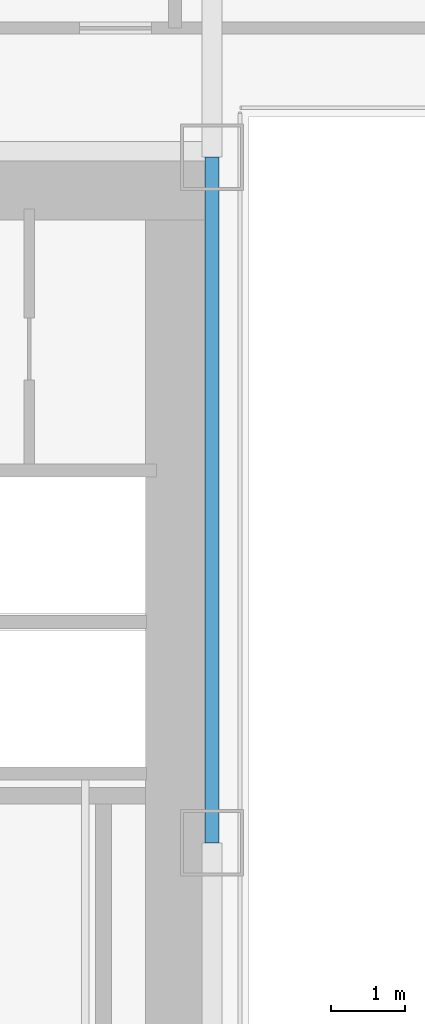
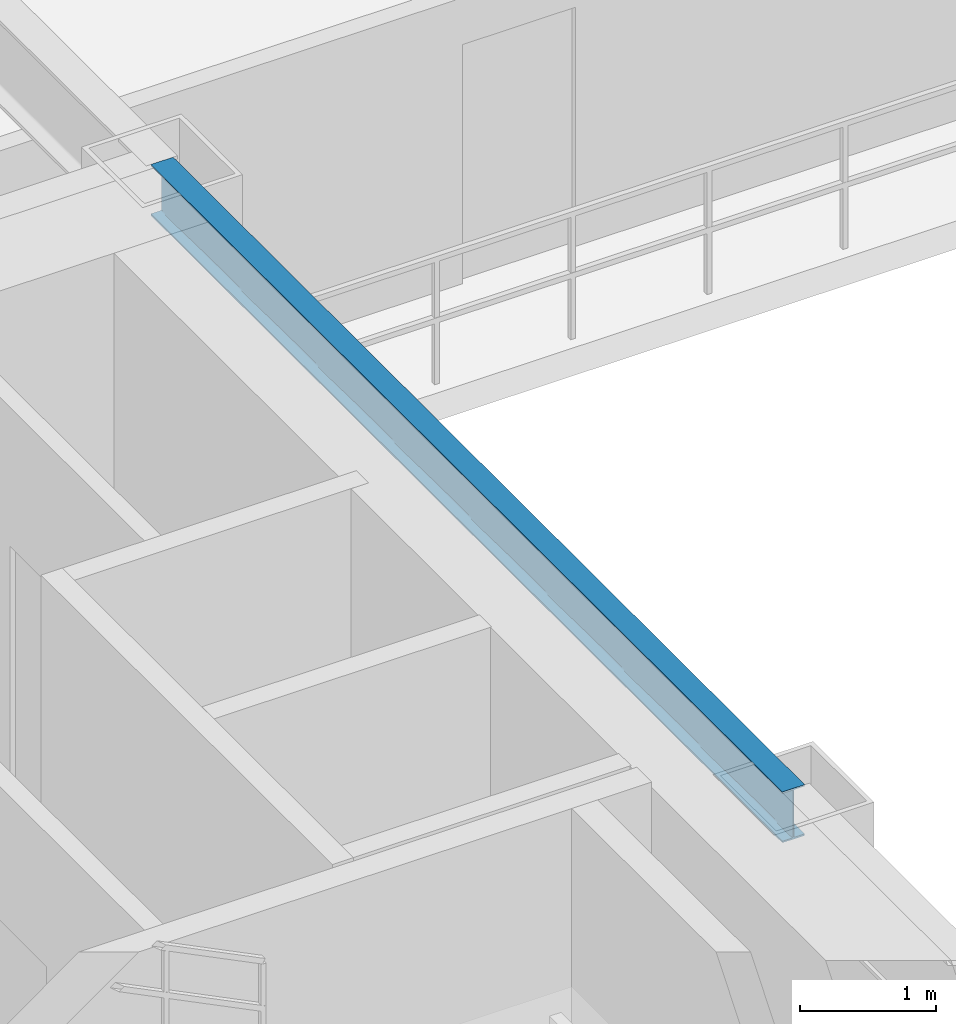
# One storey, part 9 of 35: 1 beam.
"""IFC4 building model written with IfcOpenShell, lengths in metres."""

from ifc_helpers import new_model, si_unit, direction, frame, origin, origin_2d, place, context, subcontext, project, spatial, i_section, extrude, source, transform, mapped, material, material_profile, profile_set, type_object, element, save


model = new_model("IFC4")

# Units and contexts
model_context = context("Model", 3, precision=1e-05, world=origin(), true_north=direction((0.0, 1.0)))
body_context = subcontext(model_context, "Body", "Model", "MODEL_VIEW")
ifc_project = project(units=[si_unit("LENGTHUNIT", "METRE"), si_unit("AREAUNIT", "SQUARE_METRE"), si_unit("VOLUMEUNIT", "CUBIC_METRE"), si_unit("PLANEANGLEUNIT", "RADIAN"), si_unit("MASSUNIT", "GRAM", prefix="KILO")], contexts=[model_context])

# Site, building, storey
site_placement = place(None, origin())
site = spatial("IfcSite", under=ifc_project, at=site_placement, CompositionType="ELEMENT")
building_placement = place(site_placement, origin())
building = spatial("IfcBuilding", under=site, at=building_placement, Name="Ocotamira Hotel", CompositionType="ELEMENT")
storey_placement = place(building_placement, frame((0.0, 0.0, 78.0)))
storey = spatial("IfcBuildingStorey", under=building, at=storey_placement, Name="L19", CompositionType="ELEMENT", Elevation=78.0)

# Beam
ifc_material = material(Name="Steel ASTM A992 Grade 50", Category="steel")
ifc_material_profile = material_profile(ifc_material, i_section(OverallWidth=0.18994140625, OverallDepth=0.45703125, WebThickness=0.009033203125, FlangeThickness=0.014404296875, FilletRadius=0.010009765625, at=origin_2d()), Name="W18X50")
ifc_profile_set = profile_set([ifc_material_profile], Name="Steel ASTM A992 Grade 50")
beam_type = type_object("IfcBeamType", Name="BM-SEC-W18X50", PredefinedType="JOIST", material=ifc_profile_set)
shared_shape = source(origin(), body_context, "Body", "SweptSolid", [
    extrude(i_section(OverallWidth=0.18994140625, OverallDepth=0.45703125, WebThickness=0.009033203125, FlangeThickness=0.014404296875, FilletRadius=0.010009765625, at=origin_2d()), origin(), (0.0, 0.0, 1.0), 9.300048828125),
])
beam_placement = place(storey_placement, frame((23.5, 28.14990234375, 3.12158203125), z_axis=(0.0, 1.0, 0.0), x_axis=(-1.0, 0.0, 0.0)))
element("IfcBeam", 1, at=beam_placement, inside=storey, type_object=beam_type, Name="L19 Beam X23.5 Y28.15-37.45", PredefinedType="JOIST", context=body_context, shape_type="MappedRepresentation", body=[
    mapped(shared_shape, transform((0.0, 0.0, 0.0), scale=1.0)),
])

save(model, "model.ifc")
